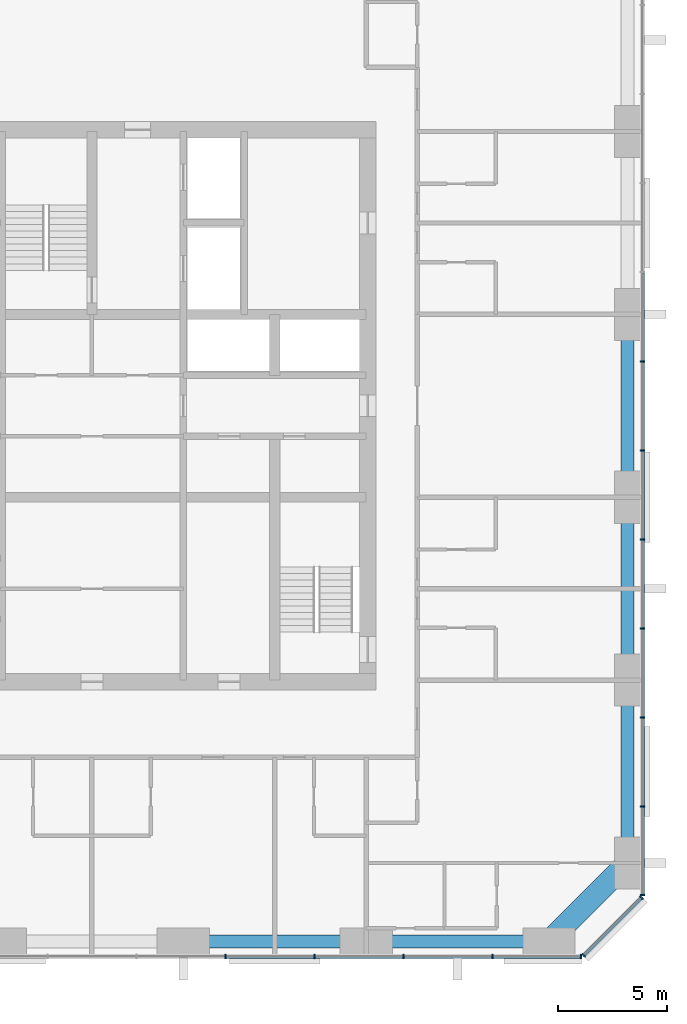
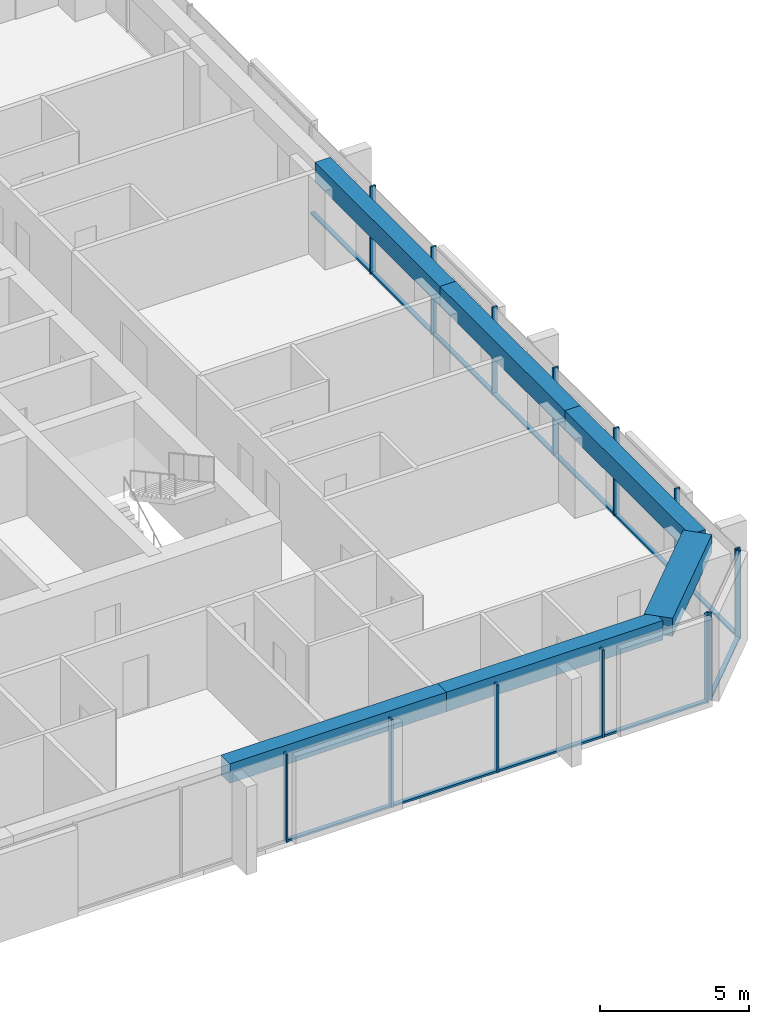
# One storey, part 4 of 13: 26 members, 6 beams, 3 elements without a shape of their own.
"""IFC4 building model written with IfcOpenShell, lengths in metres."""

from ifc_helpers import new_model, si_unit, direction, frame, origin, origin_2d, place, context, subcontext, project, spatial, rectangle, extrude, material, material_profile, profile_set, type_object, element, aggregate, save


model = new_model("IFC4")

# Units and contexts
model_context = context("Model", 3, precision=1e-05, world=origin(), true_north=direction((0.0, 1.0)))
body_context = subcontext(model_context, "Body", "Model", "MODEL_VIEW")
ifc_project = project(units=[si_unit("LENGTHUNIT", "METRE"), si_unit("AREAUNIT", "SQUARE_METRE"), si_unit("VOLUMEUNIT", "CUBIC_METRE"), si_unit("PLANEANGLEUNIT", "RADIAN"), si_unit("MASSUNIT", "GRAM", prefix="KILO")], contexts=[model_context])

# Site, building, storey
site_placement = place(None, origin())
site = spatial("IfcSite", under=ifc_project, at=site_placement, CompositionType="ELEMENT")
building_placement = place(site_placement, origin())
building = spatial("IfcBuilding", under=site, at=building_placement, Name="Dunama Terrace Hotel", CompositionType="ELEMENT")
storey_placement = place(building_placement, frame((0.0, 0.0, 166.199951171875)))
storey = spatial("IfcBuildingStorey", under=building, at=storey_placement, Name="L42", CompositionType="ELEMENT", Elevation=166.199951171875)

# Curtain wall, members
ifc_material_1 = material(Name="Aluminium curtain wall system", Category="aluminium")
curtain_wall_type = type_object("IfcCurtainWallType", Name="Unitised fritted glass wall CW-C", PredefinedType="NOTDEFINED", material=ifc_material_1)
curtain_wall_1_placement = place(storey_placement, origin())
curtain_wall_1 = element("IfcCurtainWall", 1, at=curtain_wall_1_placement, inside=storey, type_object=curtain_wall_type, Name="Unitised fritted glass wall CW-C L42", PredefinedType="NOTDEFINED")
ifc_material_2 = material(Name="Aluminium mullion", Category="aluminium")
ifc_material_profile_1 = material_profile(ifc_material_2, rectangle(XDim=0.070068359375, YDim=0.199951171875, at=origin_2d()), Name="CWC MULLION 70X200")
ifc_profile_set_1 = profile_set([ifc_material_profile_1], Name="Aluminium mullion")
member_type_1 = type_object("IfcMemberType", Name="CWC mullion 70x200", PredefinedType="MULLION", material=ifc_profile_set_1)
member_1_placement = place(storey_placement, frame((35.535888671875, 4.10009765625, 0.0), z_axis=(0.0, 0.0, 1.0), x_axis=(1.0, 0.0, 0.0)))
member_1 = element("IfcMember", 2, at=member_1_placement, type_object=member_type_1, Name="CWC mullion", PredefinedType="MULLION", context=body_context, shape_type="SweptSolid", body=[
    extrude(rectangle(XDim=0.070068359375, YDim=0.199951171875, at=origin_2d()), origin(), (0.0, 0.0, 1.0), 3.60009765625),
])
member_2_placement = place(storey_placement, frame((39.626953125, 4.10009765625, 0.0), z_axis=(0.0, 0.0, 1.0), x_axis=(1.0, 0.0, 0.0)))
member_2 = element("IfcMember", 3, at=member_2_placement, type_object=member_type_1, Name="CWC mullion", PredefinedType="MULLION", context=body_context, shape_type="SweptSolid", body=[
    extrude(rectangle(XDim=0.070068359375, YDim=0.199951171875, at=origin_2d()), origin(), (0.0, 0.0, 1.0), 3.60009765625),
])
member_3_placement = place(storey_placement, frame((43.718017578125, 4.10009765625, 0.0), z_axis=(0.0, 0.0, 1.0), x_axis=(1.0, 0.0, 0.0)))
member_3 = element("IfcMember", 4, at=member_3_placement, type_object=member_type_1, Name="CWC mullion", PredefinedType="MULLION", context=body_context, shape_type="SweptSolid", body=[
    extrude(rectangle(XDim=0.070068359375, YDim=0.199951171875, at=origin_2d()), origin(), (0.0, 0.0, 1.0), 3.60009765625),
])
member_4_placement = place(storey_placement, frame((47.80908203125, 4.10009765625, 0.0), z_axis=(0.0, 0.0, 1.0), x_axis=(1.0, 0.0, 0.0)))
member_4 = element("IfcMember", 5, at=member_4_placement, type_object=member_type_1, Name="CWC mullion", PredefinedType="MULLION", context=body_context, shape_type="SweptSolid", body=[
    extrude(rectangle(XDim=0.070068359375, YDim=0.199951171875, at=origin_2d()), origin(), (0.0, 0.0, 1.0), 3.60009765625),
])
member_5_placement = place(storey_placement, frame((51.864990234375, 4.10009765625, 0.0), z_axis=(0.0, 0.0, 1.0), x_axis=(1.0, 0.0, 0.0)))
member_5 = element("IfcMember", 6, at=member_5_placement, type_object=member_type_1, Name="CWC mullion", PredefinedType="MULLION", context=body_context, shape_type="SweptSolid", body=[
    extrude(rectangle(XDim=0.070068359375, YDim=0.199951171875, at=origin_2d()), origin(), (0.0, 0.0, 1.0), 3.60009765625),
])

curtain_wall_2_placement = place(storey_placement, origin())
curtain_wall_2 = element("IfcCurtainWall", 7, at=curtain_wall_2_placement, inside=storey, type_object=curtain_wall_type, Name="Unitised fritted glass wall CW-C L42", PredefinedType="NOTDEFINED")
member_6_placement = place(storey_placement, frame((51.9951171875, 4.154052734375, 0.0), z_axis=(0.0, 0.0, 1.0), x_axis=(0.707106781187, 0.707106781187, 0.0)))
member_6 = element("IfcMember", 8, at=member_6_placement, type_object=member_type_1, Name="CWC mullion", PredefinedType="MULLION", context=body_context, shape_type="SweptSolid", body=[
    extrude(rectangle(XDim=0.070068359375, YDim=0.199951171875, at=origin_2d()), origin(), (0.0, 0.0, 1.0), 3.60009765625),
])
member_7_placement = place(storey_placement, frame((54.64599609375, 6.804931640625, 0.0), z_axis=(0.0, 0.0, 1.0), x_axis=(0.707106781187, 0.707106781187, 0.0)))
member_7 = element("IfcMember", 9, at=member_7_placement, type_object=member_type_1, Name="CWC mullion", PredefinedType="MULLION", context=body_context, shape_type="SweptSolid", body=[
    extrude(rectangle(XDim=0.070068359375, YDim=0.199951171875, at=origin_2d()), origin(), (0.0, 0.0, 1.0), 3.60009765625),
])

curtain_wall_3_placement = place(storey_placement, origin())
curtain_wall_3 = element("IfcCurtainWall", 10, at=curtain_wall_3_placement, inside=storey, type_object=curtain_wall_type, Name="Unitised fritted glass wall CW-C L42", PredefinedType="NOTDEFINED")
member_8_placement = place(storey_placement, frame((54.699951171875, 6.93505859375, 0.0), z_axis=(0.0, 0.0, 1.0), x_axis=(0.0, 1.0, 0.0)))
member_8 = element("IfcMember", 11, at=member_8_placement, type_object=member_type_1, Name="CWC mullion", PredefinedType="MULLION", context=body_context, shape_type="SweptSolid", body=[
    extrude(rectangle(XDim=0.070068359375, YDim=0.199951171875, at=origin_2d()), origin(), (0.0, 0.0, 1.0), 3.60009765625),
])
member_9_placement = place(storey_placement, frame((54.699951171875, 10.990966796875, 0.0), z_axis=(0.0, 0.0, 1.0), x_axis=(0.0, 1.0, 0.0)))
member_9 = element("IfcMember", 12, at=member_9_placement, type_object=member_type_1, Name="CWC mullion", PredefinedType="MULLION", context=body_context, shape_type="SweptSolid", body=[
    extrude(rectangle(XDim=0.070068359375, YDim=0.199951171875, at=origin_2d()), origin(), (0.0, 0.0, 1.0), 3.60009765625),
])
member_10_placement = place(storey_placement, frame((54.699951171875, 15.08203125, 0.0), z_axis=(0.0, 0.0, 1.0), x_axis=(0.0, 1.0, 0.0)))
member_10 = element("IfcMember", 13, at=member_10_placement, type_object=member_type_1, Name="CWC mullion", PredefinedType="MULLION", context=body_context, shape_type="SweptSolid", body=[
    extrude(rectangle(XDim=0.070068359375, YDim=0.199951171875, at=origin_2d()), origin(), (0.0, 0.0, 1.0), 3.60009765625),
])
member_11_placement = place(storey_placement, frame((54.699951171875, 19.173095703125, 0.0), z_axis=(0.0, 0.0, 1.0), x_axis=(0.0, 1.0, 0.0)))
member_11 = element("IfcMember", 14, at=member_11_placement, type_object=member_type_1, Name="CWC mullion", PredefinedType="MULLION", context=body_context, shape_type="SweptSolid", body=[
    extrude(rectangle(XDim=0.070068359375, YDim=0.199951171875, at=origin_2d()), origin(), (0.0, 0.0, 1.0), 3.60009765625),
])
member_12_placement = place(storey_placement, frame((54.699951171875, 23.263916015625, 0.0), z_axis=(0.0, 0.0, 1.0), x_axis=(0.0, 1.0, 0.0)))
member_12 = element("IfcMember", 15, at=member_12_placement, type_object=member_type_1, Name="CWC mullion", PredefinedType="MULLION", context=body_context, shape_type="SweptSolid", body=[
    extrude(rectangle(XDim=0.070068359375, YDim=0.199951171875, at=origin_2d()), origin(), (0.0, 0.0, 1.0), 3.60009765625),
])
member_13_placement = place(storey_placement, frame((54.699951171875, 27.35498046875, 0.0), z_axis=(0.0, 0.0, 1.0), x_axis=(0.0, 1.0, 0.0)))
member_13 = element("IfcMember", 16, at=member_13_placement, type_object=member_type_1, Name="CWC mullion", PredefinedType="MULLION", context=body_context, shape_type="SweptSolid", body=[
    extrude(rectangle(XDim=0.070068359375, YDim=0.199951171875, at=origin_2d()), origin(), (0.0, 0.0, 1.0), 3.60009765625),
])
member_14_placement = place(storey_placement, frame((54.699951171875, 31.445068359375, 0.0), z_axis=(0.0, 0.0, 1.0), x_axis=(0.0, 1.0, 0.0)))
member_14 = element("IfcMember", 17, at=member_14_placement, type_object=member_type_1, Name="CWC mullion", PredefinedType="MULLION", context=body_context, shape_type="SweptSolid", body=[
    extrude(rectangle(XDim=0.070068359375, YDim=0.199951171875, at=origin_2d()), origin(), (0.0, 0.0, 1.0), 3.60009765625),
])

# Member
ifc_material_3 = material(Name="Aluminium transom", Category="aluminium")
ifc_material_profile_2 = material_profile(ifc_material_3, rectangle(XDim=0.159912109375, YDim=0.080078125, at=origin_2d()), Name="CWC TRANSOM 160X80")
ifc_profile_set_2 = profile_set([ifc_material_profile_2], Name="Aluminium transom")
member_type_2 = type_object("IfcMemberType", Name="CWC transom 160x80", PredefinedType="USERDEFINED", material=ifc_profile_set_2)
member_15_placement = place(storey_placement, frame((35.571044921875, 4.10009765625, 0.0400390625), z_axis=(1.0, 0.0, 0.0), x_axis=(0.0, 1.0, 0.0)))
member_15 = element("IfcMember", 18, at=member_15_placement, type_object=member_type_2, Name="CWC transom", ObjectType="TRANSOM", PredefinedType="USERDEFINED", context=body_context, shape_type="SweptSolid", body=[
    extrude(rectangle(XDim=0.159912109375, YDim=0.080078125, at=origin_2d()), origin(), (0.0, 0.0, 1.0), 4.02099609375),
])

member_16_placement = place(storey_placement, frame((39.662109375, 4.10009765625, 0.0400390625), z_axis=(1.0, 0.0, 0.0), x_axis=(0.0, 1.0, 0.0)))
member_16 = element("IfcMember", 19, at=member_16_placement, type_object=member_type_2, Name="CWC transom", ObjectType="TRANSOM", PredefinedType="USERDEFINED", context=body_context, shape_type="SweptSolid", body=[
    extrude(rectangle(XDim=0.159912109375, YDim=0.080078125, at=origin_2d()), origin(), (0.0, 0.0, 1.0), 4.02099609375),
])

member_17_placement = place(storey_placement, frame((43.7529296875, 4.10009765625, 0.0400390625), z_axis=(1.0, 0.0, 0.0), x_axis=(0.0, 1.0, 0.0)))
member_17 = element("IfcMember", 20, at=member_17_placement, type_object=member_type_2, Name="CWC transom", ObjectType="TRANSOM", PredefinedType="USERDEFINED", context=body_context, shape_type="SweptSolid", body=[
    extrude(rectangle(XDim=0.159912109375, YDim=0.080078125, at=origin_2d()), origin(), (0.0, 0.0, 1.0), 4.02099609375),
])

member_18_placement = place(storey_placement, frame((47.843994140625, 4.10009765625, 0.0400390625), z_axis=(1.0, 0.0, 0.0), x_axis=(0.0, 1.0, 0.0)))
member_18 = element("IfcMember", 21, at=member_18_placement, type_object=member_type_2, Name="CWC transom", ObjectType="TRANSOM", PredefinedType="USERDEFINED", context=body_context, shape_type="SweptSolid", body=[
    extrude(rectangle(XDim=0.159912109375, YDim=0.080078125, at=origin_2d()), origin(), (0.0, 0.0, 1.0), 3.986083984375),
])

aggregate(curtain_wall_1, [member_1, member_2, member_3, member_4, member_5, member_15, member_16, member_17, member_18])

member_19_placement = place(storey_placement, frame((52.02001953125, 4.178955078125, 0.0400390625), z_axis=(0.707106781187, 0.707106781187, 0.0), x_axis=(-0.707106781187, 0.707106781187, 0.0)))
member_19 = element("IfcMember", 22, at=member_19_placement, type_object=member_type_2, Name="CWC transom", ObjectType="TRANSOM", PredefinedType="USERDEFINED", context=body_context, shape_type="SweptSolid", body=[
    extrude(rectangle(XDim=0.159912109375, YDim=0.080078125, at=origin_2d()), origin(), (0.0, 0.0, 1.0), 3.678466796875),
])

aggregate(curtain_wall_2, [member_6, member_7, member_19])

member_20_placement = place(storey_placement, frame((54.699951171875, 6.969970703125, 0.0400390625), z_axis=(0.0, 1.0, 0.0), x_axis=(-1.0, 0.0, 0.0)))
member_20 = element("IfcMember", 23, at=member_20_placement, type_object=member_type_2, Name="CWC transom", ObjectType="TRANSOM", PredefinedType="USERDEFINED", context=body_context, shape_type="SweptSolid", body=[
    extrude(rectangle(XDim=0.159912109375, YDim=0.080078125, at=origin_2d()), origin(), (0.0, 0.0, 1.0), 3.986083984375),
])

member_21_placement = place(storey_placement, frame((54.699951171875, 11.02587890625, 0.0400390625), z_axis=(0.0, 1.0, 0.0), x_axis=(-1.0, 0.0, 0.0)))
member_21 = element("IfcMember", 24, at=member_21_placement, type_object=member_type_2, Name="CWC transom", ObjectType="TRANSOM", PredefinedType="USERDEFINED", context=body_context, shape_type="SweptSolid", body=[
    extrude(rectangle(XDim=0.159912109375, YDim=0.080078125, at=origin_2d()), origin(), (0.0, 0.0, 1.0), 4.021240234375),
])

member_22_placement = place(storey_placement, frame((54.699951171875, 15.116943359375, 0.0400390625), z_axis=(0.0, 1.0, 0.0), x_axis=(-1.0, 0.0, 0.0)))
member_22 = element("IfcMember", 25, at=member_22_placement, type_object=member_type_2, Name="CWC transom", ObjectType="TRANSOM", PredefinedType="USERDEFINED", context=body_context, shape_type="SweptSolid", body=[
    extrude(rectangle(XDim=0.159912109375, YDim=0.080078125, at=origin_2d()), origin(), (0.0, 0.0, 1.0), 4.02099609375),
])

member_23_placement = place(storey_placement, frame((54.699951171875, 19.2080078125, 0.0400390625), z_axis=(0.0, 1.0, 0.0), x_axis=(-1.0, 0.0, 0.0)))
member_23 = element("IfcMember", 26, at=member_23_placement, type_object=member_type_2, Name="CWC transom", ObjectType="TRANSOM", PredefinedType="USERDEFINED", context=body_context, shape_type="SweptSolid", body=[
    extrude(rectangle(XDim=0.159912109375, YDim=0.080078125, at=origin_2d()), origin(), (0.0, 0.0, 1.0), 4.02099609375),
])

member_24_placement = place(storey_placement, frame((54.699951171875, 23.299072265625, 0.0400390625), z_axis=(0.0, 1.0, 0.0), x_axis=(-1.0, 0.0, 0.0)))
member_24 = element("IfcMember", 27, at=member_24_placement, type_object=member_type_2, Name="CWC transom", ObjectType="TRANSOM", PredefinedType="USERDEFINED", context=body_context, shape_type="SweptSolid", body=[
    extrude(rectangle(XDim=0.159912109375, YDim=0.080078125, at=origin_2d()), origin(), (0.0, 0.0, 1.0), 4.02099609375),
])

member_25_placement = place(storey_placement, frame((54.699951171875, 27.389892578125, 0.0400390625), z_axis=(0.0, 1.0, 0.0), x_axis=(-1.0, 0.0, 0.0)))
member_25 = element("IfcMember", 28, at=member_25_placement, type_object=member_type_2, Name="CWC transom", ObjectType="TRANSOM", PredefinedType="USERDEFINED", context=body_context, shape_type="SweptSolid", body=[
    extrude(rectangle(XDim=0.159912109375, YDim=0.080078125, at=origin_2d()), origin(), (0.0, 0.0, 1.0), 4.02001953125),
])

member_26_placement = place(storey_placement, frame((54.699951171875, 31.47998046875, 0.0400390625), z_axis=(0.0, 1.0, 0.0), x_axis=(-1.0, 0.0, 0.0)))
member_26 = element("IfcMember", 29, at=member_26_placement, type_object=member_type_2, Name="CWC transom", ObjectType="TRANSOM", PredefinedType="USERDEFINED", context=body_context, shape_type="SweptSolid", body=[
    extrude(rectangle(XDim=0.159912109375, YDim=0.080078125, at=origin_2d()), origin(), (0.0, 0.0, 1.0), 4.02099609375),
])

aggregate(curtain_wall_3, [member_8, member_9, member_10, member_11, member_12, member_13, member_14, member_20, member_21, member_22, member_23, member_24, member_25, member_26])

# Beams
ifc_material_4 = material(Name="Concrete C50/60", Category="concrete")
ifc_material_profile_3 = material_profile(ifc_material_4, rectangle(XDim=1.0, YDim=0.75, at=origin_2d()), Name="RC 1000x750")
ifc_profile_set_3 = profile_set([ifc_material_profile_3], Name="Concrete C50/60")
beam_type_1 = type_object("IfcBeamType", Name="Edge beam RC 1000x750", PredefinedType="SPANDREL", material=ifc_profile_set_3)
beam_1_placement = place(storey_placement, frame((50.39990234375, 4.800048828125, 3.22509765625), z_axis=(0.707130757816, 0.707082803744, 0.0), x_axis=(-0.707082803744, 0.707130757816, 0.0)))
element("IfcBeam", 30, at=beam_1_placement, inside=storey, type_object=beam_type_1, Name="Corner edge beam under L43", PredefinedType="SPANDREL", context=body_context, shape_type="SweptSolid", body=[
    extrude(rectangle(XDim=1.0, YDim=0.75, at=origin_2d()), origin(), (0.0, 0.0, 1.0), 5.091064453125),
])
ifc_material_5 = material(Name="Concrete C40/50", Category="concrete")
ifc_material_profile_4 = material_profile(ifc_material_5, rectangle(XDim=0.60009765625, YDim=0.800048828125, at=origin_2d()), Name="RC 600x800")
ifc_profile_set_4 = profile_set([ifc_material_profile_4], Name="Concrete C40/50")
beam_type_2 = type_object("IfcBeamType", Name="Edge beam RC 600x800", PredefinedType="SPANDREL", material=ifc_profile_set_4)
beam_2_placement = place(storey_placement, frame((54.0, 8.39990234375, 3.199951171875), z_axis=(0.0, 1.0, 0.0), x_axis=(-1.0, 0.0, 0.0)))
element("IfcBeam", 31, at=beam_2_placement, inside=storey, type_object=beam_type_2, Name="Edge beam under L43", PredefinedType="SPANDREL", context=body_context, shape_type="SweptSolid", body=[
    extrude(rectangle(XDim=0.60009765625, YDim=0.800048828125, at=origin_2d()), origin(), (0.0, 0.0, 1.0), 8.400146484375),
])
beam_3_placement = place(storey_placement, frame((54.0, 16.800048828125, 3.199951171875), z_axis=(0.0, 1.0, 0.0), x_axis=(-1.0, 0.0, 0.0)))
element("IfcBeam", 32, at=beam_3_placement, inside=storey, type_object=beam_type_2, Name="Edge beam under L43", PredefinedType="SPANDREL", context=body_context, shape_type="SweptSolid", body=[
    extrude(rectangle(XDim=0.60009765625, YDim=0.800048828125, at=origin_2d()), origin(), (0.0, 0.0, 1.0), 8.39990234375),
])
beam_4_placement = place(storey_placement, frame((54.0, 25.199951171875, 3.199951171875), z_axis=(0.0, 1.0, 0.0), x_axis=(-1.0, 0.0, 0.0)))
element("IfcBeam", 33, at=beam_4_placement, inside=storey, type_object=beam_type_2, Name="Edge beam under L43", PredefinedType="SPANDREL", context=body_context, shape_type="SweptSolid", body=[
    extrude(rectangle(XDim=0.60009765625, YDim=0.800048828125, at=origin_2d()), origin(), (0.0, 0.0, 1.0), 8.400146484375),
])
for number, where, z_axis, x_axis, name in (
    (34, (33.60009765625, 4.800048828125, 3.199951171875), (1.0, 0.0, 0.0), (0.0, 1.0, 0.0), "Edge beam under L43"),
    (35, (42.0, 4.800048828125, 3.199951171875), (1.0, 0.0, 0.0), (0.0, 1.0, 0.0), "Edge beam under L43"),
):
    element("IfcBeam", number, at=place(storey_placement, frame(where, z_axis=z_axis, x_axis=x_axis)), inside=storey, type_object=beam_type_2, Name=name, PredefinedType="SPANDREL", context=body_context, shape_type="SweptSolid", body=[
        extrude(rectangle(XDim=0.60009765625, YDim=0.800048828125, at=origin_2d()), origin(), (0.0, 0.0, 1.0), 8.39990234375),
    ])

save(model, "model.ifc")
